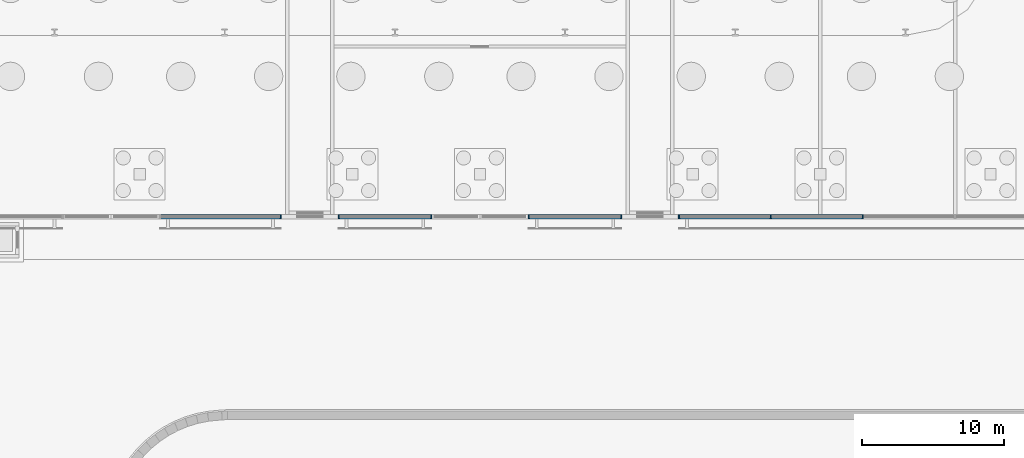
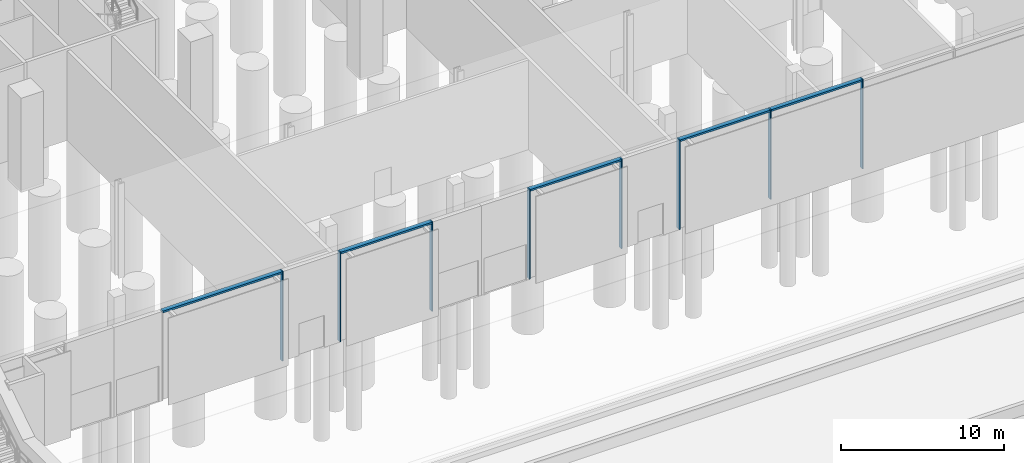
# One storey, part 7 of 48: 13 members, 4 elements without a shape of their own.
"""IFC4 building model written with IfcOpenShell, lengths in metres."""

from ifc_helpers import new_model, si_unit, direction, frame, origin, origin_2d, place, context, subcontext, project, spatial, rectangle, extrude, material, material_profile, profile_set, type_object, element, aggregate, save


model = new_model("IFC4")

# Units and contexts
model_context = context("Model", 3, precision=1e-05, world=origin(), true_north=direction((0.0, 1.0)))
body_context = subcontext(model_context, "Body", "Model", "MODEL_VIEW")
ifc_project = project(units=[si_unit("LENGTHUNIT", "METRE"), si_unit("AREAUNIT", "SQUARE_METRE"), si_unit("VOLUMEUNIT", "CUBIC_METRE"), si_unit("PLANEANGLEUNIT", "RADIAN"), si_unit("MASSUNIT", "GRAM", prefix="KILO")], contexts=[model_context])

# Site, building, storey
site_placement = place(None, origin())
site = spatial("IfcSite", under=ifc_project, at=site_placement, CompositionType="ELEMENT")
building_placement = place(site_placement, origin())
building = spatial("IfcBuilding", under=site, at=building_placement, Name="Mahtab Terrace Research Tower", CompositionType="ELEMENT")
storey_placement = place(building_placement, origin())
storey = spatial("IfcBuildingStorey", under=building, at=storey_placement, Name="G", CompositionType="ELEMENT", Elevation=0.0)

# Curtain wall, member
ifc_material_1 = material(Name="Ground lobby curtain wall")
curtain_wall_type = type_object("IfcCurtainWallType", Name="Ground lobby curtain wall", PredefinedType="NOTDEFINED", material=ifc_material_1)
curtain_wall_1_placement = place(storey_placement, origin())
curtain_wall_1 = element("IfcCurtainWall", 1, at=curtain_wall_1_placement, inside=storey, type_object=curtain_wall_type, Name="EN.G.19.3", PredefinedType="NOTDEFINED")
ifc_material_2 = material(Name="Natural anodised aluminium", Category="aluminium")
ifc_material_profile_1 = material_profile(ifc_material_2, rectangle(XDim=0.300048828125, YDim=0.080078125, at=origin_2d()), Name="MULLION 80x300")
ifc_profile_set_1 = profile_set([ifc_material_profile_1], Name="Natural anodised aluminium")
member_type_1 = type_object("IfcMemberType", Name="Ground lobby curtain wall mullion", PredefinedType="MULLION", material=ifc_profile_set_1)
member_1_placement = place(storey_placement, frame((-2.0400390625, -36.0, 0.0), z_axis=(0.0, 0.0, 1.0), x_axis=(0.0, 1.0, 0.0)))
member_1 = element("IfcMember", 2, at=member_1_placement, type_object=member_type_1, Name="CWG-1 mullion 2", PredefinedType="MULLION", context=body_context, shape_type="SweptSolid", body=[
    extrude(rectangle(XDim=0.300048828125, YDim=0.080078125, at=origin_2d()), origin(), (0.0, 0.0, 1.0), 6.699951171875),
])

# Curtain wall, members
curtain_wall_2_placement = place(storey_placement, origin())
curtain_wall_2 = element("IfcCurtainWall", 3, at=curtain_wall_2_placement, inside=storey, type_object=curtain_wall_type, Name="EN.G.19.5", PredefinedType="NOTDEFINED")
member_2_placement = place(storey_placement, frame((2.0400390625, -36.0, 0.0), z_axis=(0.0, 0.0, 1.0), x_axis=(0.0, 1.0, 0.0)))
member_2 = element("IfcMember", 4, at=member_2_placement, type_object=member_type_1, Name="CWG-1 mullion 1", PredefinedType="MULLION", context=body_context, shape_type="SweptSolid", body=[
    extrude(rectangle(XDim=0.300048828125, YDim=0.080078125, at=origin_2d()), origin(), (0.0, 0.0, 1.0), 6.699951171875),
])
member_3_placement = place(storey_placement, frame((8.56005859375, -36.0, 0.0), z_axis=(0.0, 0.0, 1.0), x_axis=(0.0, 1.0, 0.0)))
member_3 = element("IfcMember", 5, at=member_3_placement, type_object=member_type_1, Name="CWG-1 mullion 2", PredefinedType="MULLION", context=body_context, shape_type="SweptSolid", body=[
    extrude(rectangle(XDim=0.300048828125, YDim=0.080078125, at=origin_2d()), origin(), (0.0, 0.0, 1.0), 6.699951171875),
])

curtain_wall_3_placement = place(storey_placement, origin())
curtain_wall_3 = element("IfcCurtainWall", 6, at=curtain_wall_3_placement, inside=storey, type_object=curtain_wall_type, Name="EN.G.19.8", PredefinedType="NOTDEFINED")
member_4_placement = place(storey_placement, frame((15.43994140625, -36.0, 0.0), z_axis=(0.0, 0.0, 1.0), x_axis=(0.0, 1.0, 0.0)))
member_4 = element("IfcMember", 7, at=member_4_placement, type_object=member_type_1, Name="CWG-1 mullion 1", PredefinedType="MULLION", context=body_context, shape_type="SweptSolid", body=[
    extrude(rectangle(XDim=0.300048828125, YDim=0.080078125, at=origin_2d()), origin(), (0.0, 0.0, 1.0), 6.699951171875),
])
member_5_placement = place(storey_placement, frame((21.9599609375, -36.0, 0.0), z_axis=(0.0, 0.0, 1.0), x_axis=(0.0, 1.0, 0.0)))
member_5 = element("IfcMember", 8, at=member_5_placement, type_object=member_type_1, Name="CWG-1 mullion 2", PredefinedType="MULLION", context=body_context, shape_type="SweptSolid", body=[
    extrude(rectangle(XDim=0.300048828125, YDim=0.080078125, at=origin_2d()), origin(), (0.0, 0.0, 1.0), 6.699951171875),
])

curtain_wall_4_placement = place(storey_placement, origin())
curtain_wall_4 = element("IfcCurtainWall", 9, at=curtain_wall_4_placement, inside=storey, type_object=curtain_wall_type, Name="EN.G.19.10", PredefinedType="NOTDEFINED")
member_6_placement = place(storey_placement, frame((26.0400390625, -36.0, 0.0), z_axis=(0.0, 0.0, 1.0), x_axis=(0.0, 1.0, 0.0)))
member_6 = element("IfcMember", 10, at=member_6_placement, type_object=member_type_1, Name="CWG-1 mullion 1", PredefinedType="MULLION", context=body_context, shape_type="SweptSolid", body=[
    extrude(rectangle(XDim=0.300048828125, YDim=0.080078125, at=origin_2d()), origin(), (0.0, 0.0, 1.0), 6.699951171875),
])
member_7_placement = place(storey_placement, frame((32.5, -36.0, 0.0), z_axis=(0.0, 0.0, 1.0), x_axis=(0.0, 1.0, 0.0)))
member_7 = element("IfcMember", 11, at=member_7_placement, type_object=member_type_1, Name="CWG-1 mullion 2", PredefinedType="MULLION", context=body_context, shape_type="SweptSolid", body=[
    extrude(rectangle(XDim=0.300048828125, YDim=0.080078125, at=origin_2d()), origin(), (0.0, 0.0, 1.0), 6.699951171875),
])
member_8_placement = place(storey_placement, frame((39.0, -36.0, 0.0), z_axis=(0.0, 0.0, 1.0), x_axis=(0.0, 1.0, 0.0)))
member_8 = element("IfcMember", 12, at=member_8_placement, type_object=member_type_1, Name="CWG-1 mullion 3", PredefinedType="MULLION", context=body_context, shape_type="SweptSolid", body=[
    extrude(rectangle(XDim=0.300048828125, YDim=0.080078125, at=origin_2d()), origin(), (0.0, 0.0, 1.0), 6.699951171875),
])

# Member
ifc_material_profile_2 = material_profile(ifc_material_2, rectangle(XDim=0.300048828125, YDim=0.139892578125, at=origin_2d()), Name="TRANSOM 140x300")
ifc_profile_set_2 = profile_set([ifc_material_profile_2], Name="Natural anodised aluminium")
member_type_2 = type_object("IfcMemberType", Name="Ground lobby curtain wall transom", PredefinedType="USERDEFINED", material=ifc_profile_set_2)
member_9_placement = place(storey_placement, frame((-10.52001953125, -36.0, 6.6298828125), z_axis=(1.0, 0.0, 0.0), x_axis=(0.0, 1.0, 0.0)))
member_9 = element("IfcMember", 13, at=member_9_placement, type_object=member_type_2, Name="CWG-1 transom 1", ObjectType="TRANSOM", PredefinedType="USERDEFINED", context=body_context, shape_type="SweptSolid", body=[
    extrude(rectangle(XDim=0.300048828125, YDim=0.139892578125, at=origin_2d()), origin(), (0.0, 0.0, 1.0), 8.43994140625),
])

aggregate(curtain_wall_1, [member_1, member_9])

member_10_placement = place(storey_placement, frame((2.080078125, -36.0, 6.6298828125), z_axis=(1.0, 0.0, 0.0), x_axis=(0.0, 1.0, 0.0)))
member_10 = element("IfcMember", 14, at=member_10_placement, type_object=member_type_2, Name="CWG-1 transom 1", ObjectType="TRANSOM", PredefinedType="USERDEFINED", context=body_context, shape_type="SweptSolid", body=[
    extrude(rectangle(XDim=0.300048828125, YDim=0.139892578125, at=origin_2d()), origin(), (0.0, 0.0, 1.0), 6.43994140625),
])

aggregate(curtain_wall_2, [member_2, member_3, member_10])

member_11_placement = place(storey_placement, frame((15.47998046875, -36.0, 6.6298828125), z_axis=(1.0, 0.0, 0.0), x_axis=(0.0, 1.0, 0.0)))
member_11 = element("IfcMember", 15, at=member_11_placement, type_object=member_type_2, Name="CWG-1 transom 1", ObjectType="TRANSOM", PredefinedType="USERDEFINED", context=body_context, shape_type="SweptSolid", body=[
    extrude(rectangle(XDim=0.300048828125, YDim=0.139892578125, at=origin_2d()), origin(), (0.0, 0.0, 1.0), 6.43994140625),
])

aggregate(curtain_wall_3, [member_4, member_5, member_11])

member_12_placement = place(storey_placement, frame((26.080078125, -36.0, 6.6298828125), z_axis=(1.0, 0.0, 0.0), x_axis=(0.0, 1.0, 0.0)))
member_12 = element("IfcMember", 16, at=member_12_placement, type_object=member_type_2, Name="CWG-1 transom 1", ObjectType="TRANSOM", PredefinedType="USERDEFINED", context=body_context, shape_type="SweptSolid", body=[
    extrude(rectangle(XDim=0.300048828125, YDim=0.139892578125, at=origin_2d()), origin(), (0.0, 0.0, 1.0), 6.3798828125),
])

member_13_placement = place(storey_placement, frame((32.5400390625, -36.0, 6.6298828125), z_axis=(1.0, 0.0, 0.0), x_axis=(0.0, 1.0, 0.0)))
member_13 = element("IfcMember", 17, at=member_13_placement, type_object=member_type_2, Name="CWG-1 transom 2", ObjectType="TRANSOM", PredefinedType="USERDEFINED", context=body_context, shape_type="SweptSolid", body=[
    extrude(rectangle(XDim=0.300048828125, YDim=0.139892578125, at=origin_2d()), origin(), (0.0, 0.0, 1.0), 6.419921875),
])

aggregate(curtain_wall_4, [member_6, member_7, member_8, member_12, member_13])

save(model, "model.ifc")
